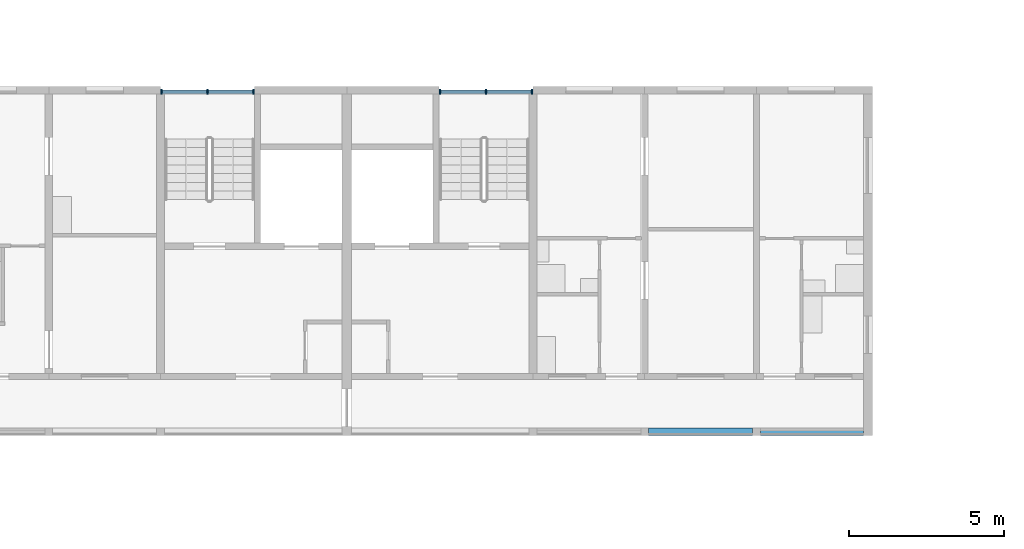
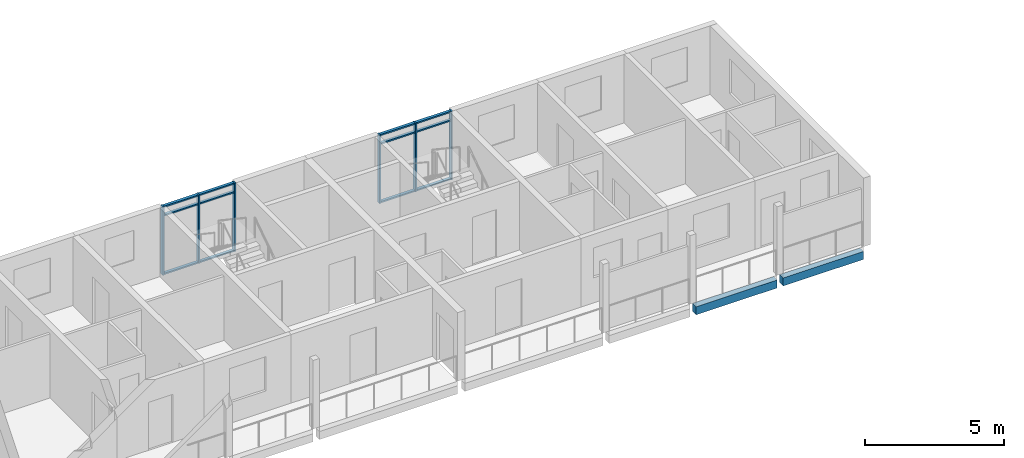
# One storey, part 39 of 122: 18 members, 2 beams, 2 elements without a shape of their own.
"""IFC4 building model written with IfcOpenShell, lengths in metres."""

from ifc_helpers import new_model, si_unit, direction, frame, origin, origin_2d, place, context, subcontext, project, spatial, rectangle, extrude, material, material_profile, profile_set, type_object, element, aggregate, save


model = new_model("IFC4")

# Units and contexts
model_context = context("Model", 3, precision=1e-05, world=origin(), true_north=direction((0.0, 1.0)))
body_context = subcontext(model_context, "Body", "Model", "MODEL_VIEW")
ifc_project = project(units=[si_unit("LENGTHUNIT", "METRE"), si_unit("AREAUNIT", "SQUARE_METRE"), si_unit("VOLUMEUNIT", "CUBIC_METRE"), si_unit("PLANEANGLEUNIT", "RADIAN"), si_unit("MASSUNIT", "GRAM", prefix="KILO")], contexts=[model_context])

# Site, building, storey
site_placement = place(None, origin())
site = spatial("IfcSite", under=ifc_project, at=site_placement, CompositionType="ELEMENT")
building_placement = place(site_placement, origin())
building = spatial("IfcBuilding", under=site, at=building_placement, Name="Ridgestep Commons", CompositionType="ELEMENT")
storey_placement = place(building_placement, frame((0.0, 0.0, 3.0)))
storey = spatial("IfcBuildingStorey", under=building, at=storey_placement, Name="L01", CompositionType="ELEMENT", Elevation=3.0)

# Beams
ifc_material_1 = material(Name="Precast concrete C40/50", Category="concrete")
ifc_material_profile_1 = material_profile(ifc_material_1, rectangle(XDim=0.25, YDim=0.35009765625, at=origin_2d()), Name="PC 250x350")
ifc_profile_set_1 = profile_set([ifc_material_profile_1], Name="Precast concrete C40/50")
beam_type = type_object("IfcBeamType", Name="Loggia edge beam 250 x 350", PredefinedType="SPANDREL", material=ifc_profile_set_1)
beam_1_placement = place(storey_placement, frame((240.52490234375, 66.125, -0.375), z_axis=(1.0, 0.0, 0.0), x_axis=(0.0, 1.0, 0.0)))
element("IfcBeam", 1, at=beam_1_placement, inside=storey, type_object=beam_type, Name="Loggia edge beam C6T2 L01", PredefinedType="SPANDREL", context=body_context, shape_type="SweptSolid", body=[
    extrude(rectangle(XDim=0.25, YDim=0.35009765625, at=origin_2d()), origin(), (0.0, 0.0, 1.0), 3.35009765625),
])
beam_2_placement = place(storey_placement, frame((244.125, 66.125, -0.375), z_axis=(1.0, 0.0, 0.0), x_axis=(0.0, 1.0, 0.0)))
element("IfcBeam", 2, at=beam_2_placement, inside=storey, type_object=beam_type, Name="Loggia edge beam C6T1 L01", PredefinedType="SPANDREL", context=body_context, shape_type="SweptSolid", body=[
    extrude(rectangle(XDim=0.25, YDim=0.35009765625, at=origin_2d()), origin(), (0.0, 0.0, 1.0), 3.324951171875),
])

# Curtain wall, members
ifc_material_2 = material(Name="Aluminium 6063-T6 and glass", Category="aluminium")
curtain_wall_type = type_object("IfcCurtainWallType", Name="Curtain wall stair strip", PredefinedType="NOTDEFINED", material=ifc_material_2)
curtain_wall_1_placement = place(storey_placement, origin())
curtain_wall_1 = element("IfcCurtainWall", 3, at=curtain_wall_1_placement, inside=storey, type_object=curtain_wall_type, Name="Curtain wall C5C level 01", PredefinedType="NOTDEFINED")
ifc_material_3 = material(Name="Aluminium 6063-T6", Category="aluminium")
ifc_material_profile_2 = material_profile(ifc_material_3, rectangle(XDim=0.159912109375, YDim=0.06005859375, at=origin_2d()), Name="Mullion 60 x 160")
ifc_profile_set_2 = profile_set([ifc_material_profile_2], Name="Aluminium 6063-T6")
member_type_1 = type_object("IfcMemberType", Name="Mullion 60 x 160", PredefinedType="MULLION", material=ifc_profile_set_2)
member_1_placement = place(storey_placement, frame((224.830078125, 77.080078125, 0.0), z_axis=(0.0, 0.0, 1.0), x_axis=(0.0, 1.0, 0.0)))
member_1 = element("IfcMember", 4, at=member_1_placement, type_object=member_type_1, Name="CW1 mullion 1", PredefinedType="MULLION", context=body_context, shape_type="SweptSolid", body=[
    extrude(rectangle(XDim=0.159912109375, YDim=0.06005859375, at=origin_2d()), origin(), (0.0, 0.0, 1.0), 3.0),
])
member_2_placement = place(storey_placement, frame((226.3125, 77.080078125, 0.0), z_axis=(0.0, 0.0, 1.0), x_axis=(0.0, 1.0, 0.0)))
member_2 = element("IfcMember", 5, at=member_2_placement, type_object=member_type_1, Name="CW1 mullion 2", PredefinedType="MULLION", context=body_context, shape_type="SweptSolid", body=[
    extrude(rectangle(XDim=0.159912109375, YDim=0.06005859375, at=origin_2d()), origin(), (0.0, 0.0, 1.0), 3.0),
])
member_3_placement = place(storey_placement, frame((227.794921875, 77.080078125, 0.0), z_axis=(0.0, 0.0, 1.0), x_axis=(0.0, 1.0, 0.0)))
member_3 = element("IfcMember", 6, at=member_3_placement, type_object=member_type_1, Name="CW1 mullion 3", PredefinedType="MULLION", context=body_context, shape_type="SweptSolid", body=[
    extrude(rectangle(XDim=0.159912109375, YDim=0.06005859375, at=origin_2d()), origin(), (0.0, 0.0, 1.0), 3.0),
])

curtain_wall_2_placement = place(storey_placement, origin())
curtain_wall_2 = element("IfcCurtainWall", 7, at=curtain_wall_2_placement, inside=storey, type_object=curtain_wall_type, Name="Curtain wall C6C level 01", PredefinedType="NOTDEFINED")
member_4_placement = place(storey_placement, frame((233.804931640625, 77.080078125, 0.0), z_axis=(0.0, 0.0, 1.0), x_axis=(0.0, 1.0, 0.0)))
member_4 = element("IfcMember", 8, at=member_4_placement, type_object=member_type_1, Name="CW1 mullion 1", PredefinedType="MULLION", context=body_context, shape_type="SweptSolid", body=[
    extrude(rectangle(XDim=0.159912109375, YDim=0.06005859375, at=origin_2d()), origin(), (0.0, 0.0, 1.0), 3.0),
])
member_5_placement = place(storey_placement, frame((235.28759765625, 77.080078125, 0.0), z_axis=(0.0, 0.0, 1.0), x_axis=(0.0, 1.0, 0.0)))
member_5 = element("IfcMember", 9, at=member_5_placement, type_object=member_type_1, Name="CW1 mullion 2", PredefinedType="MULLION", context=body_context, shape_type="SweptSolid", body=[
    extrude(rectangle(XDim=0.159912109375, YDim=0.06005859375, at=origin_2d()), origin(), (0.0, 0.0, 1.0), 3.0),
])
member_6_placement = place(storey_placement, frame((236.77001953125, 77.080078125, 0.0), z_axis=(0.0, 0.0, 1.0), x_axis=(0.0, 1.0, 0.0)))
member_6 = element("IfcMember", 10, at=member_6_placement, type_object=member_type_1, Name="CW1 mullion 3", PredefinedType="MULLION", context=body_context, shape_type="SweptSolid", body=[
    extrude(rectangle(XDim=0.159912109375, YDim=0.06005859375, at=origin_2d()), origin(), (0.0, 0.0, 1.0), 3.0),
])

# Member
ifc_material_4 = material(Name="Aluminium 6063-T6", Category="aluminium")
ifc_material_profile_3 = material_profile(ifc_material_4, rectangle(XDim=0.1201171875, YDim=0.06005859375, at=origin_2d()), Name="Transom 60 x 120")
ifc_profile_set_3 = profile_set([ifc_material_profile_3], Name="Aluminium 6063-T6")
member_type_2 = type_object("IfcMemberType", Name="Transom 60 x 120", PredefinedType="USERDEFINED", material=ifc_profile_set_3)
member_7_placement = place(storey_placement, frame((224.860107421875, 77.080078125, 0.030029296875), z_axis=(1.0, 0.0, 0.0), x_axis=(0.0, 1.0, 0.0)))
member_7 = element("IfcMember", 11, at=member_7_placement, type_object=member_type_2, Name="CW1 transom 1.1", ObjectType="TRANSOM", PredefinedType="USERDEFINED", context=body_context, shape_type="SweptSolid", body=[
    extrude(rectangle(XDim=0.1201171875, YDim=0.06005859375, at=origin_2d()), origin(), (0.0, 0.0, 1.0), 1.42236328125),
])

member_8_placement = place(storey_placement, frame((224.860107421875, 77.080078125, 2.590087890625), z_axis=(1.0, 0.0, 0.0), x_axis=(0.0, 1.0, 0.0)))
member_8 = element("IfcMember", 12, at=member_8_placement, type_object=member_type_2, Name="CW1 transom 1.2", ObjectType="TRANSOM", PredefinedType="USERDEFINED", context=body_context, shape_type="SweptSolid", body=[
    extrude(rectangle(XDim=0.1201171875, YDim=0.06005859375, at=origin_2d()), origin(), (0.0, 0.0, 1.0), 1.42236328125),
])

member_9_placement = place(storey_placement, frame((224.860107421875, 77.080078125, 2.969970703125), z_axis=(1.0, 0.0, 0.0), x_axis=(0.0, 1.0, 0.0)))
member_9 = element("IfcMember", 13, at=member_9_placement, type_object=member_type_2, Name="CW1 transom 1.3", ObjectType="TRANSOM", PredefinedType="USERDEFINED", context=body_context, shape_type="SweptSolid", body=[
    extrude(rectangle(XDim=0.1201171875, YDim=0.06005859375, at=origin_2d()), origin(), (0.0, 0.0, 1.0), 1.42236328125),
])

member_10_placement = place(storey_placement, frame((226.342529296875, 77.080078125, 0.030029296875), z_axis=(1.0, 0.0, 0.0), x_axis=(0.0, 1.0, 0.0)))
member_10 = element("IfcMember", 14, at=member_10_placement, type_object=member_type_2, Name="CW1 transom 2.1", ObjectType="TRANSOM", PredefinedType="USERDEFINED", context=body_context, shape_type="SweptSolid", body=[
    extrude(rectangle(XDim=0.1201171875, YDim=0.06005859375, at=origin_2d()), origin(), (0.0, 0.0, 1.0), 1.42236328125),
])

member_11_placement = place(storey_placement, frame((226.342529296875, 77.080078125, 2.590087890625), z_axis=(1.0, 0.0, 0.0), x_axis=(0.0, 1.0, 0.0)))
member_11 = element("IfcMember", 15, at=member_11_placement, type_object=member_type_2, Name="CW1 transom 2.2", ObjectType="TRANSOM", PredefinedType="USERDEFINED", context=body_context, shape_type="SweptSolid", body=[
    extrude(rectangle(XDim=0.1201171875, YDim=0.06005859375, at=origin_2d()), origin(), (0.0, 0.0, 1.0), 1.42236328125),
])

member_12_placement = place(storey_placement, frame((226.342529296875, 77.080078125, 2.969970703125), z_axis=(1.0, 0.0, 0.0), x_axis=(0.0, 1.0, 0.0)))
member_12 = element("IfcMember", 16, at=member_12_placement, type_object=member_type_2, Name="CW1 transom 2.3", ObjectType="TRANSOM", PredefinedType="USERDEFINED", context=body_context, shape_type="SweptSolid", body=[
    extrude(rectangle(XDim=0.1201171875, YDim=0.06005859375, at=origin_2d()), origin(), (0.0, 0.0, 1.0), 1.42236328125),
])

aggregate(curtain_wall_1, [member_1, member_2, member_3, member_7, member_8, member_9, member_10, member_11, member_12])

member_13_placement = place(storey_placement, frame((233.8349609375, 77.080078125, 0.030029296875), z_axis=(1.0, 0.0, 0.0), x_axis=(0.0, 1.0, 0.0)))
member_13 = element("IfcMember", 17, at=member_13_placement, type_object=member_type_2, Name="CW1 transom 1.1", ObjectType="TRANSOM", PredefinedType="USERDEFINED", context=body_context, shape_type="SweptSolid", body=[
    extrude(rectangle(XDim=0.1201171875, YDim=0.06005859375, at=origin_2d()), origin(), (0.0, 0.0, 1.0), 1.422607421875),
])

member_14_placement = place(storey_placement, frame((233.8349609375, 77.080078125, 2.590087890625), z_axis=(1.0, 0.0, 0.0), x_axis=(0.0, 1.0, 0.0)))
member_14 = element("IfcMember", 18, at=member_14_placement, type_object=member_type_2, Name="CW1 transom 1.2", ObjectType="TRANSOM", PredefinedType="USERDEFINED", context=body_context, shape_type="SweptSolid", body=[
    extrude(rectangle(XDim=0.1201171875, YDim=0.06005859375, at=origin_2d()), origin(), (0.0, 0.0, 1.0), 1.422607421875),
])

member_15_placement = place(storey_placement, frame((233.8349609375, 77.080078125, 2.969970703125), z_axis=(1.0, 0.0, 0.0), x_axis=(0.0, 1.0, 0.0)))
member_15 = element("IfcMember", 19, at=member_15_placement, type_object=member_type_2, Name="CW1 transom 1.3", ObjectType="TRANSOM", PredefinedType="USERDEFINED", context=body_context, shape_type="SweptSolid", body=[
    extrude(rectangle(XDim=0.1201171875, YDim=0.06005859375, at=origin_2d()), origin(), (0.0, 0.0, 1.0), 1.422607421875),
])

member_16_placement = place(storey_placement, frame((235.3173828125, 77.080078125, 0.030029296875), z_axis=(1.0, 0.0, 0.0), x_axis=(0.0, 1.0, 0.0)))
member_16 = element("IfcMember", 20, at=member_16_placement, type_object=member_type_2, Name="CW1 transom 2.1", ObjectType="TRANSOM", PredefinedType="USERDEFINED", context=body_context, shape_type="SweptSolid", body=[
    extrude(rectangle(XDim=0.1201171875, YDim=0.06005859375, at=origin_2d()), origin(), (0.0, 0.0, 1.0), 1.422607421875),
])

member_17_placement = place(storey_placement, frame((235.3173828125, 77.080078125, 2.590087890625), z_axis=(1.0, 0.0, 0.0), x_axis=(0.0, 1.0, 0.0)))
member_17 = element("IfcMember", 21, at=member_17_placement, type_object=member_type_2, Name="CW1 transom 2.2", ObjectType="TRANSOM", PredefinedType="USERDEFINED", context=body_context, shape_type="SweptSolid", body=[
    extrude(rectangle(XDim=0.1201171875, YDim=0.06005859375, at=origin_2d()), origin(), (0.0, 0.0, 1.0), 1.422607421875),
])

member_18_placement = place(storey_placement, frame((235.3173828125, 77.080078125, 2.969970703125), z_axis=(1.0, 0.0, 0.0), x_axis=(0.0, 1.0, 0.0)))
member_18 = element("IfcMember", 22, at=member_18_placement, type_object=member_type_2, Name="CW1 transom 2.3", ObjectType="TRANSOM", PredefinedType="USERDEFINED", context=body_context, shape_type="SweptSolid", body=[
    extrude(rectangle(XDim=0.1201171875, YDim=0.06005859375, at=origin_2d()), origin(), (0.0, 0.0, 1.0), 1.422607421875),
])

aggregate(curtain_wall_2, [member_4, member_5, member_6, member_13, member_14, member_15, member_16, member_17, member_18])

save(model, "model.ifc")
